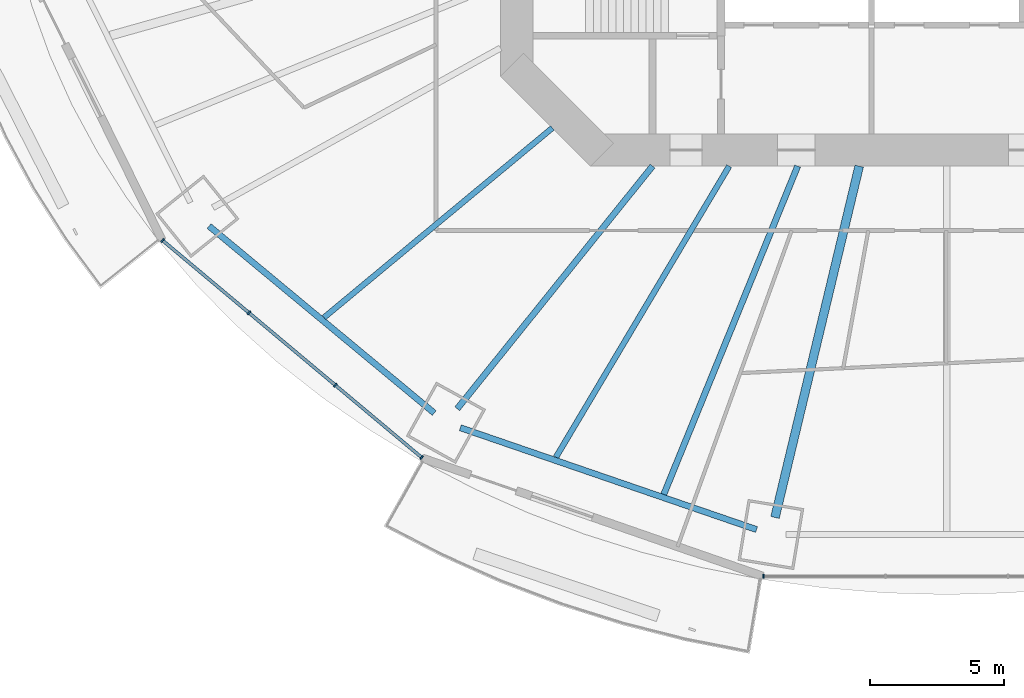
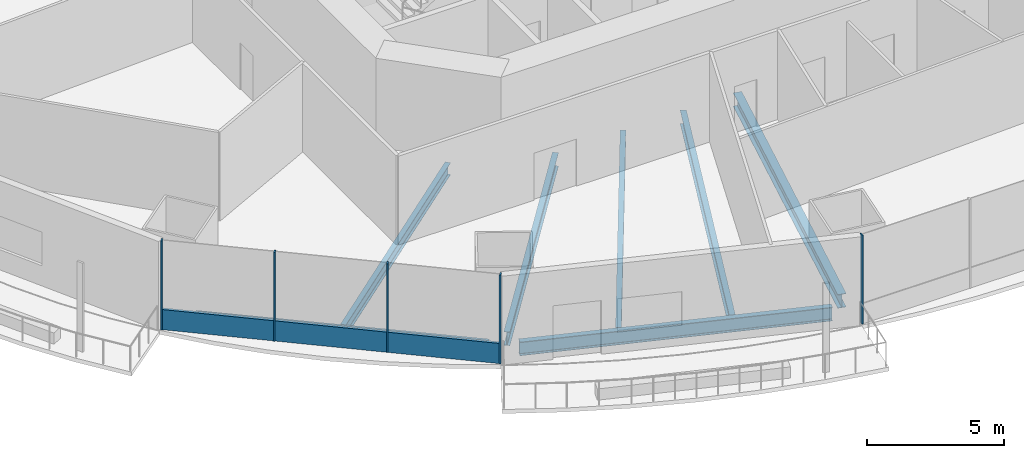
# One storey, part 2 of 22: 7 beams, 6 members, 2 elements without a shape of their own.
"""IFC4 building model written with IfcOpenShell, lengths in metres."""

import ifcopenshell
import ifcopenshell.guid

model = None  # the IFC model being written
_history = None  # IfcOwnerHistory: only IFC2X3 demands one
_inside = {}  # id of a spatial element -> (the spatial element, [elements in it])
_under = {}  # id of a project, library or spatial element -> (it, [spatial elements below it])
_declared = {}  # id of a project -> (the project, [libraries it declares])
_typed = {}  # id of a type object -> (the type object, [elements of that type])
_made_of = {}  # id of a material, layer set ... -> (it, [elements and type objects made of it])


def new_model(schema):
    """Start an empty IFC model of exactly this schema.

    Asked for "IFC4X3", IfcOpenShell would pick the latest addendum, in which some entities
    have other attributes; the version numbers below select the first issue.
    IFC2X3 requires an IfcOwnerHistory on every rooted entity: one is made here for all.
    """
    global model, _history
    if schema == "IFC4X3":
        model = ifcopenshell.file(schema_version=(4, 3, 0, 0))
    else:
        model = ifcopenshell.file(schema=schema)
    _inside.clear()
    _under.clear()
    _declared.clear()
    _typed.clear()
    _made_of.clear()
    _history = None
    if model.schema == "IFC2X3":
        org = make("IfcOrganization", Name="unknown")
        user = make(
            "IfcPersonAndOrganization",
            ThePerson=make("IfcPerson", FamilyName="unknown"),
            TheOrganization=org,
        )
        app = make(
            "IfcApplication",
            ApplicationDeveloper=org,
            Version="unknown",
            ApplicationFullName="unknown",
            ApplicationIdentifier="unknown",
        )
        _history = make(
            "IfcOwnerHistory",
            OwningUser=user,
            OwningApplication=app,
            ChangeAction="ADDED",
            CreationDate=0,
        )
    return model


def make(cls, **values):
    """One entity of the class cls with the attributes given. An attribute that is None is left unset."""
    return model.create_entity(
        cls, **{name: value for name, value in values.items() if value is not None}
    )


def rooted(cls, **values):
    """An entity with a GlobalId (a new one), such as an element, a storey or a relation."""
    return make(cls, GlobalId=ifcopenshell.guid.new(), OwnerHistory=_history, **values)


def si_unit(unit_type, name, prefix=None):
    """IfcSIUnit, for example si_unit("LENGTHUNIT", "METRE", prefix="MILLI")."""
    return make("IfcSIUnit", UnitType=unit_type, Prefix=prefix, Name=name)


def assignment(units):
    """IfcUnitAssignment: the units of a project."""
    return None if units is None else make("IfcUnitAssignment", Units=units)


def point(xyz):
    """IfcCartesianPoint."""
    return None if xyz is None else make("IfcCartesianPoint", Coordinates=xyz)


def direction(xyz):
    """IfcDirection."""
    return None if xyz is None else make("IfcDirection", DirectionRatios=xyz)


def frame(location, z_axis=None, x_axis=None):
    """IfcAxis2Placement3D, a coordinate frame: its origin and axes. An axis left out is left unset."""
    return make(
        "IfcAxis2Placement3D",
        Location=point(location),
        Axis=direction(z_axis),
        RefDirection=direction(x_axis),
    )


def frame_2d(location, x_axis=None):
    """IfcAxis2Placement2D, a coordinate frame in the plane: its origin and x axis."""
    return make(
        "IfcAxis2Placement2D", Location=point(location), RefDirection=direction(x_axis)
    )


def origin():
    """The frame at (0, 0, 0) with its axes left unset."""
    return frame((0.0, 0.0, 0.0))


def origin_2d():
    """The frame at (0, 0) in the plane with its x axis left unset."""
    return frame_2d((0.0, 0.0))


def place(relative_to, where):
    """IfcLocalPlacement: puts the frame where relative to a parent placement (None: the world)."""
    return make(
        "IfcLocalPlacement", PlacementRelTo=relative_to, RelativePlacement=where
    )


def context(
    kind, dimensions, precision=None, world=None, true_north=None, identifier=None
):
    """IfcGeometricRepresentationContext, for example the 3D "Model" context."""
    return make(
        "IfcGeometricRepresentationContext",
        ContextIdentifier=identifier,
        ContextType=kind,
        CoordinateSpaceDimension=dimensions,
        Precision=precision,
        WorldCoordinateSystem=world,
        TrueNorth=true_north,
    )


def subcontext(parent, identifier, kind, view, scale=None):
    """IfcGeometricRepresentationSubContext, for example "Body" below "Model"."""
    return make(
        "IfcGeometricRepresentationSubContext",
        ContextIdentifier=identifier,
        ContextType=kind,
        ParentContext=parent,
        TargetScale=scale,
        TargetView=view,
    )


def project(units=None, contexts=None):
    """IfcProject with its units and contexts."""
    return rooted(
        "IfcProject",
        Name="project",
        RepresentationContexts=contexts,
        UnitsInContext=assignment(units),
    )


def spatial(cls, under=None, at=None, **own):
    """A site, building, storey or space (cls), placed at a placement, below another one or the project."""
    s = rooted(cls, ObjectPlacement=at, **own)
    if under is not None:
        _under.setdefault(under.id(), (under, []))[1].append(s)
    return s


def profile(cls, at=None, kind="AREA", **sizes):
    """A parametric profile (cls). Its sizes go by their IFC names, for example OverallWidth=200.0."""
    return make(cls, ProfileType=kind, Position=at, **sizes)


def rectangle(**sizes):
    """IfcRectangleProfileDef."""
    return profile("IfcRectangleProfileDef", **sizes)


def i_section(**sizes):
    """IfcIShapeProfileDef."""
    return profile("IfcIShapeProfileDef", **sizes)


def extrude(swept, where, along, depth):
    """IfcExtrudedAreaSolid: the profile swept, set in the frame where, extruded along a direction by depth."""
    return make(
        "IfcExtrudedAreaSolid",
        SweptArea=swept,
        Position=where,
        ExtrudedDirection=direction(along),
        Depth=depth,
    )


def shape(context_of_items, identifier, shape_type, items):
    """IfcShapeRepresentation: the items that make up one representation, for example the "Body"."""
    return make(
        "IfcShapeRepresentation",
        ContextOfItems=context_of_items,
        RepresentationIdentifier=identifier,
        RepresentationType=shape_type,
        Items=items,
    )


def material(Name=None, Category=None):
    """IfcMaterial."""
    return make("IfcMaterial", Name=Name, Category=Category)


def material_profile(
    of_material, cross_section, Name=None, Category=None, Priority=None
):
    """IfcMaterialProfile: a cross section and its material."""
    return make(
        "IfcMaterialProfile",
        Name=Name,
        Material=of_material,
        Profile=cross_section,
        Priority=Priority,
        Category=Category,
    )


def profile_set(profiles, Name=None, composite=None):
    """IfcMaterialProfileSet."""
    return make(
        "IfcMaterialProfileSet",
        Name=Name,
        MaterialProfiles=profiles,
        CompositeProfile=composite,
    )


def made_of(thing, what):
    """Note that an element or type object is made of a material, layer set ...; save() writes the relation."""
    if what is not None:
        _made_of.setdefault(what.id(), (what, []))[1].append(thing)
    return thing


def type_object(cls, material=None, **own):
    """A type object (cls), such as IfcWallType, which elements share."""
    return made_of(rooted(cls, **own), material)


def element(
    cls,
    number,
    at=None,
    inside=None,
    cuts=None,
    type_object=None,
    material=None,
    context=None,
    identifier="Body",
    shape_type=None,
    held_by="IfcProductDefinitionShape",
    body=None,
    shapes=None,
    **own,
):
    """One element of the class cls, such as IfcWall. Its Tag is "e" and its number.

    at: its placement. inside: the storey or other place that contains it. cuts: it is an
    opening in that element (IfcRelVoidsElement). A single representation is given by context,
    identifier, shape_type and body (its items); several are given by shapes. held_by: the class
    of the entity that holds the representations. save() writes the other relations.
    """
    e = rooted(cls, Tag="e%d" % number, ObjectPlacement=at, **own)
    if body is not None:
        shapes = [shape(context, identifier, shape_type, body)]
    if shapes is not None:
        e.Representation = make(held_by, Representations=shapes)
    if inside is not None:
        _inside.setdefault(inside.id(), (inside, []))[1].append(e)
    if cuts is not None:
        rooted(
            "IfcRelVoidsElement", RelatingBuildingElement=cuts, RelatedOpeningElement=e
        )
    if type_object is not None:
        _typed.setdefault(type_object.id(), (type_object, []))[1].append(e)
    return made_of(e, material)


def aggregate(whole, parts):
    """IfcRelAggregates: a whole, such as a stair, and the parts it consists of."""
    return rooted("IfcRelAggregates", RelatingObject=whole, RelatedObjects=parts)


def save(model, path):
    """Write the relations noted so far, then the file.

    IfcRelAggregates (storeys below a building ...), IfcRelContainedInSpatialStructure (elements
    in a storey), IfcRelDefinesByType, IfcRelAssociatesMaterial and IfcRelDeclares: one each for
    every whole, place, type object, material and project.
    """
    for whole, parts in _under.values():
        aggregate(whole, parts)
    for where, things in _inside.values():
        rooted(
            "IfcRelContainedInSpatialStructure",
            RelatedElements=things,
            RelatingStructure=where,
        )
    for kind, things in _typed.values():
        rooted("IfcRelDefinesByType", RelatedObjects=things, RelatingType=kind)
    for what, things in _made_of.values():
        rooted("IfcRelAssociatesMaterial", RelatedObjects=things, RelatingMaterial=what)
    for by, libraries in _declared.values():
        rooted("IfcRelDeclares", RelatingContext=by, RelatedDefinitions=libraries)
    model.write(path)


model = new_model("IFC4")

# Units and contexts
model_context = context("Model", 3, precision=1e-05, world=origin(), true_north=direction((0.0, 1.0)))
body_context = subcontext(model_context, "Body", "Model", "MODEL_VIEW")
ifc_project = project(units=[si_unit("LENGTHUNIT", "METRE"), si_unit("AREAUNIT", "SQUARE_METRE"), si_unit("VOLUMEUNIT", "CUBIC_METRE"), si_unit("PLANEANGLEUNIT", "RADIAN"), si_unit("MASSUNIT", "GRAM", prefix="KILO")], contexts=[model_context])

# Site, building, storey
site_placement = place(None, origin())
site = spatial("IfcSite", under=ifc_project, at=site_placement, CompositionType="ELEMENT")
building_placement = place(site_placement, origin())
building = spatial("IfcBuilding", under=site, at=building_placement, Name="Marenthal Gate Tower", CompositionType="ELEMENT")
storey_placement = place(building_placement, frame((0.0, 0.0, 91.10009765625)))
storey = spatial("IfcBuildingStorey", under=building, at=storey_placement, Name="L18", CompositionType="ELEMENT", Elevation=91.10009765625)

# Curtain wall, members
ifc_material_1 = material(Name="Aluminium and glass", Category="aluminium")
curtain_wall_type = type_object("IfcCurtainWallType", Name="Curtain wall typical low", PredefinedType="NOTDEFINED", material=ifc_material_1)
curtain_wall_1_placement = place(storey_placement, origin())
curtain_wall_1 = element("IfcCurtainWall", 1, at=curtain_wall_1_placement, inside=storey, type_object=curtain_wall_type, Name="Curtain wall L18 bay 10", PredefinedType="NOTDEFINED")
ifc_material_2 = material(Name="Aluminium", Category="aluminium")
ifc_material_profile_1 = material_profile(ifc_material_2, rectangle(XDim=0.159912109375, YDim=0.06005859375, at=origin_2d()), Name="60x160 aluminium mullion")
ifc_profile_set_1 = profile_set([ifc_material_profile_1], Name="Aluminium")
member_type_1 = type_object("IfcMemberType", Name="Mullion 60x160 typical low", PredefinedType="MULLION", material=ifc_profile_set_1)
member_1_placement = place(storey_placement, frame((-29.170654296875, -16.363037109375, 0.0), z_axis=(0.0, 0.0, 1.0), x_axis=(0.642228281301, 0.766513427604, 0.0)))
member_1 = element("IfcMember", 2, at=member_1_placement, type_object=member_type_1, Name="Mullion L18 bay 10.1", PredefinedType="MULLION", context=body_context, shape_type="SweptSolid", body=[
    extrude(rectangle(XDim=0.159912109375, YDim=0.06005859375, at=origin_2d()), origin(), (0.0, 0.0, 1.0), 3.969970703125),
])
member_2_placement = place(storey_placement, frame((-25.95703125, -19.0556640625, 0.0), z_axis=(0.0, 0.0, 1.0), x_axis=(0.642228281301, 0.766513427604, 0.0)))
member_2 = element("IfcMember", 3, at=member_2_placement, type_object=member_type_1, Name="Mullion L18 bay 10.2", PredefinedType="MULLION", context=body_context, shape_type="SweptSolid", body=[
    extrude(rectangle(XDim=0.159912109375, YDim=0.06005859375, at=origin_2d()), origin(), (0.0, 0.0, 1.0), 3.969970703125),
])
member_3_placement = place(storey_placement, frame((-22.743408203125, -21.748291015625, 0.0), z_axis=(0.0, 0.0, 1.0), x_axis=(0.642228281301, 0.766513427604, 0.0)))
member_3 = element("IfcMember", 4, at=member_3_placement, type_object=member_type_1, Name="Mullion L18 bay 10.3", PredefinedType="MULLION", context=body_context, shape_type="SweptSolid", body=[
    extrude(rectangle(XDim=0.159912109375, YDim=0.06005859375, at=origin_2d()), origin(), (0.0, 0.0, 1.0), 3.969970703125),
])
member_4_placement = place(storey_placement, frame((-19.529541015625, -24.44091796875, 0.0), z_axis=(0.0, 0.0, 1.0), x_axis=(0.642228281301, 0.766513427604, 0.0)))
member_4 = element("IfcMember", 5, at=member_4_placement, type_object=member_type_1, Name="Mullion L18 bay 10.4", PredefinedType="MULLION", context=body_context, shape_type="SweptSolid", body=[
    extrude(rectangle(XDim=0.159912109375, YDim=0.06005859375, at=origin_2d()), origin(), (0.0, 0.0, 1.0), 3.969970703125),
])

# Curtain wall, member
curtain_wall_2_placement = place(storey_placement, origin())
curtain_wall_2 = element("IfcCurtainWall", 6, at=curtain_wall_2_placement, inside=storey, type_object=curtain_wall_type, Name="Curtain wall L18 bay 12", PredefinedType="NOTDEFINED")
member_5_placement = place(storey_placement, frame((-6.81982421875, -28.852783203125, 0.0), z_axis=(0.0, 0.0, 1.0), x_axis=(0.0, 1.0, 0.0)))
member_5 = element("IfcMember", 7, at=member_5_placement, type_object=member_type_1, Name="Mullion L18 bay 12.1", PredefinedType="MULLION", context=body_context, shape_type="SweptSolid", body=[
    extrude(rectangle(XDim=0.159912109375, YDim=0.06005859375, at=origin_2d()), origin(), (0.0, 0.0, 1.0), 3.969970703125),
])
aggregate(curtain_wall_2, [member_5])

# Member
ifc_material_3 = material(Name="Aluminium", Category="aluminium")
ifc_material_profile_2 = material_profile(ifc_material_3, rectangle(XDim=0.1201171875, YDim=0.89990234375, at=origin_2d()), Name="120x900 aluminium transom")
ifc_profile_set_2 = profile_set([ifc_material_profile_2], Name="Aluminium")
member_type_2 = type_object("IfcMemberType", Name="Transom 120x900 typical low", PredefinedType="USERDEFINED", material=ifc_profile_set_2)
member_6_placement = place(storey_placement, frame((-29.147705078125, -16.38232421875, 0.449951171875), z_axis=(0.766517626831, -0.642223269399, 0.0), x_axis=(0.642223269399, 0.766517626831, 0.0)))
member_6 = element("IfcMember", 8, at=member_6_placement, type_object=member_type_2, Name="Transom L18 bay 10", ObjectType="TRANSOM", PredefinedType="USERDEFINED", context=body_context, shape_type="SweptSolid", body=[
    extrude(rectangle(XDim=0.1201171875, YDim=0.89990234375, at=origin_2d()), origin(), (0.0, 0.0, 1.0), 12.517822265625),
])

aggregate(curtain_wall_1, [member_1, member_2, member_3, member_4, member_6])

# Beams
ifc_material_4 = material(Name="Steel S355", Category="steel")
ifc_material_profile_3 = material_profile(ifc_material_4, i_section(OverallWidth=0.2099609375, OverallDepth=0.535888671875, WebThickness=0.010986328125, FlangeThickness=0.017333984375, FilletRadius=0.0126953125, at=origin_2d()), Name="W530X101")
ifc_profile_set_3 = profile_set([ifc_material_profile_3], Name="Steel S355")
beam_type_1 = type_object("IfcBeamType", Name="W530X101 beam", PredefinedType="BEAM", material=ifc_profile_set_3)
beam_1_placement = place(storey_placement, frame((-23.164794921875, -19.23193359375, -0.447998046875), z_axis=(0.769390815443, 0.638778344273, 0.0), x_axis=(-0.638778344273, 0.769390815443, 0.0)))
element("IfcBeam", 9, at=beam_1_placement, inside=storey, type_object=beam_type_1, Name="BM-L18-31", PredefinedType="BEAM", context=body_context, shape_type="SweptSolid", body=[
    extrude(i_section(OverallWidth=0.2099609375, OverallDepth=0.535888671875, WebThickness=0.010986328125, FlangeThickness=0.017333984375, FilletRadius=0.0126953125, at=origin_2d()), origin(), (0.0, 0.0, 1.0), 11.041259765625),
])
ifc_material_5 = material(Name="Steel S355", Category="steel")
ifc_material_profile_4 = material_profile(ifc_material_5, i_section(OverallWidth=0.2119140625, OverallDepth=0.5439453125, WebThickness=0.01318359375, FlangeThickness=0.021240234375, FilletRadius=0.0126953125, at=origin_2d()), Name="W530X123")
ifc_profile_set_4 = profile_set([ifc_material_profile_4], Name="Steel S355")
beam_type_2 = type_object("IfcBeamType", Name="W530X123 beam", PredefinedType="BEAM", material=ifc_profile_set_4)
beam_2_placement = place(storey_placement, frame((-14.539794921875, -24.431396484375, -0.4521484375), z_axis=(0.511416092882, 0.859333218223, 0.0), x_axis=(-0.859333218223, 0.511416092882, 0.0)))
element("IfcBeam", 10, at=beam_2_placement, inside=storey, type_object=beam_type_2, Name="BM-L18-32", PredefinedType="BEAM", context=body_context, shape_type="SweptSolid", body=[
    extrude(i_section(OverallWidth=0.2119140625, OverallDepth=0.5439453125, WebThickness=0.01318359375, FlangeThickness=0.021240234375, FilletRadius=0.0126953125, at=origin_2d()), origin(), (0.0, 0.0, 1.0), 12.604248046875),
])
ifc_material_6 = material(Name="Steel S355", Category="steel")
ifc_material_profile_5 = material_profile(ifc_material_6, i_section(OverallWidth=0.22900390625, OverallDepth=0.612060546875, WebThickness=0.011962890625, FlangeThickness=0.01953125, FilletRadius=0.0126953125, at=origin_2d()), Name="W610X125")
ifc_profile_set_5 = profile_set([ifc_material_profile_5], Name="Steel S355")
beam_type_3 = type_object("IfcBeamType", Name="W610X125 beam", PredefinedType="BEAM", material=ifc_profile_set_5)
beam_3_placement = place(storey_placement, frame((-18.210693359375, -22.626708984375, -0.486083984375), z_axis=(0.626999737325, 0.779019466634, 0.0), x_axis=(-0.779019466634, 0.626999737325, 0.0)))
element("IfcBeam", 11, at=beam_3_placement, inside=storey, type_object=beam_type_3, Name="BM-L18-11", PredefinedType="BEAM", context=body_context, shape_type="SweptSolid", body=[
    extrude(i_section(OverallWidth=0.22900390625, OverallDepth=0.612060546875, WebThickness=0.011962890625, FlangeThickness=0.01953125, FilletRadius=0.0126953125, at=origin_2d()), origin(), (0.0, 0.0, 1.0), 11.587158203125),
])
beam_4_placement = place(storey_placement, frame((-10.52734375, -25.811279296875, -0.486083984375), z_axis=(0.377657332002, 0.925945430134, 0.0), x_axis=(-0.925945430134, 0.377657332002, 0.0)))
element("IfcBeam", 12, at=beam_4_placement, inside=storey, type_object=beam_type_3, Name="BM-L18-33", PredefinedType="BEAM", context=body_context, shape_type="SweptSolid", body=[
    extrude(i_section(OverallWidth=0.22900390625, OverallDepth=0.612060546875, WebThickness=0.011962890625, FlangeThickness=0.01953125, FilletRadius=0.0126953125, at=origin_2d()), origin(), (0.0, 0.0, 1.0), 13.187744140625),
])
beam_5_placement = place(storey_placement, frame((-27.4404296875, -15.8310546875, -0.486083984375), z_axis=(0.769402188258, -0.638764645784, 0.0), x_axis=(0.638764645784, 0.769402188258, 0.0)))
element("IfcBeam", 13, at=beam_5_placement, inside=storey, type_object=beam_type_3, Name="BM-L18-50", PredefinedType="BEAM", context=body_context, shape_type="SweptSolid", body=[
    extrude(i_section(OverallWidth=0.22900390625, OverallDepth=0.612060546875, WebThickness=0.011962890625, FlangeThickness=0.01953125, FilletRadius=0.0126953125, at=origin_2d()), origin(), (0.0, 0.0, 1.0), 10.884033203125),
])
beam_6_placement = place(storey_placement, frame((-18.09326171875, -23.330810546875, -0.486083984375), z_axis=(0.945652773526, -0.32517815413, 0.0), x_axis=(0.32517815413, 0.945652773526, 0.0)))
element("IfcBeam", 14, at=beam_6_placement, inside=storey, type_object=beam_type_3, Name="BM-L18-51", PredefinedType="BEAM", context=body_context, shape_type="SweptSolid", body=[
    extrude(i_section(OverallWidth=0.22900390625, OverallDepth=0.612060546875, WebThickness=0.011962890625, FlangeThickness=0.01953125, FilletRadius=0.0126953125, at=origin_2d()), origin(), (0.0, 0.0, 1.0), 11.65087890625),
])
ifc_material_7 = material(Name="Steel S355", Category="steel")
ifc_material_profile_6 = material_profile(ifc_material_7, i_section(OverallWidth=0.324951171875, OverallDepth=0.612060546875, WebThickness=0.0126953125, FlangeThickness=0.01904296875, FilletRadius=0.0126953125, at=origin_2d()), Name="W610X155")
ifc_profile_set_6 = profile_set([ifc_material_profile_6], Name="Steel S355")
beam_type_4 = type_object("IfcBeamType", Name="W610X155 beam", PredefinedType="BEAM", material=ifc_profile_set_6)
beam_7_placement = place(storey_placement, frame((-6.389404296875, -26.668212890625, -0.486083984375), z_axis=(0.233003942161, 0.972475790412, 0.0), x_axis=(-0.972475790412, 0.233003942161, 0.0)))
element("IfcBeam", 15, at=beam_7_placement, inside=storey, type_object=beam_type_4, Name="BM-L18-12", PredefinedType="BEAM", context=body_context, shape_type="SweptSolid", body=[
    extrude(i_section(OverallWidth=0.324951171875, OverallDepth=0.612060546875, WebThickness=0.0126953125, FlangeThickness=0.01904296875, FilletRadius=0.0126953125, at=origin_2d()), origin(), (0.0, 0.0, 1.0), 13.43798828125),
])

save(model, "model.ifc")
